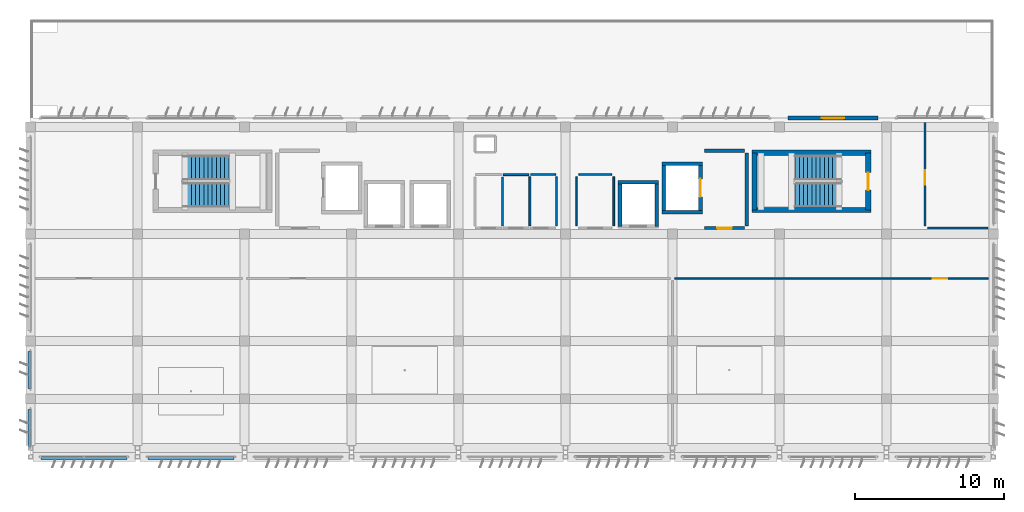
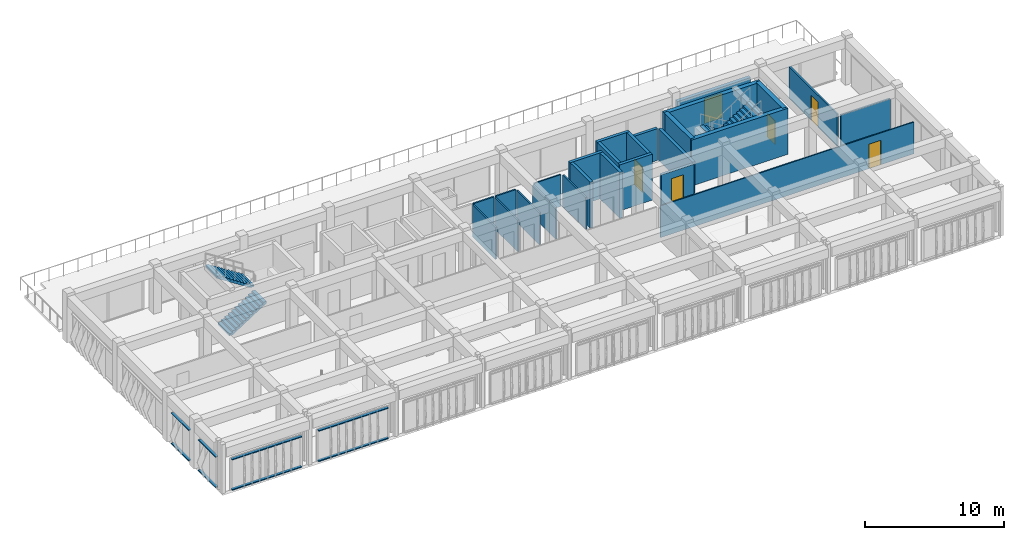
# One storey, part 30 of 42: 26 walls, 8 discrete accessories, 6 doors, 4 stair flights, 6 openings, 2 elements without a shape of their own.
"""IFC4 building model written with IfcOpenShell, lengths in metres."""

from ifc_helpers import new_model, si_unit, direction, frame, frame_2d, origin, origin_2d, place, context, subcontext, project, spatial, polyline, rectangle, outline, extrude, material, layer, layer_set, type_object, element, fill, aggregate, save


model = new_model("IFC4")

# Units and contexts
model_context = context("Model", 3, precision=1e-05, world=origin(), true_north=direction((0.0, 1.0)))
body_context = subcontext(model_context, "Body", "Model", "MODEL_VIEW")
ifc_project = project(units=[si_unit("LENGTHUNIT", "METRE"), si_unit("AREAUNIT", "SQUARE_METRE"), si_unit("VOLUMEUNIT", "CUBIC_METRE"), si_unit("PLANEANGLEUNIT", "RADIAN"), si_unit("MASSUNIT", "GRAM", prefix="KILO")], contexts=[model_context])

# Site, building, storey
site_placement = place(None, origin())
site = spatial("IfcSite", under=ifc_project, at=site_placement, CompositionType="ELEMENT")
building_placement = place(site_placement, origin())
building = spatial("IfcBuilding", under=site, at=building_placement, Name="Kazehaya Institute of Natural Sciences", CompositionType="ELEMENT")
storey_placement = place(building_placement, frame((0.0, 0.0, 37.6201171875)))
storey = spatial("IfcBuildingStorey", under=building, at=storey_placement, Name="L08", CompositionType="ELEMENT", Elevation=37.6201171875)

# Walls
ifc_material_1 = material(Name="Concrete Fc42", Category="concrete")
ifc_layer_1 = layer(ifc_material_1, 0.35009765625, Name="Concrete Fc42", Category="concrete")
ifc_layer_set_1 = layer_set([ifc_layer_1], Name="Concrete Fc42")
wall_type_1 = type_object("IfcWallType", Name="WL-CORE-350", PredefinedType="SHEAR", material=ifc_layer_set_1)
for number, where, z_axis, x_axis, name in (
    (1, (111.155029296875, 22.820068359375, 0.0), (0.0, 0.0, 1.0), (-1.0, 0.0, 0.0), "L08 ST-2 core wall S"),
    (2, (103.14501953125, 26.659912109375, 0.0), (0.0, 0.0, 1.0), (1.0, 0.0, 0.0), "L08 ST-2 core wall N"),
):
    element("IfcWall", number, at=place(storey_placement, frame(where, z_axis=z_axis, x_axis=x_axis)), inside=storey, type_object=wall_type_1, Name=name, PredefinedType="SHEAR", context=body_context, shape_type="SweptSolid", body=[
        extrude(rectangle(XDim=8.010009765625, YDim=0.35009765625, at=frame_2d((4.0048828125, 0.0))), origin(), (0.0, 0.0, 1.0), 4.0498046875),
    ])
wall_1_placement = place(storey_placement, frame((103.320068359375, 22.820068359375, 0.0), z_axis=(0.0, 0.0, 1.0), x_axis=(0.0, 1.0, 0.0)))
element("IfcWall", 3, at=wall_1_placement, inside=storey, type_object=wall_type_1, Name="L08 ST-2 core wall W", PredefinedType="SHEAR", context=body_context, shape_type="SweptSolid", body=[
    extrude(rectangle(XDim=3.83984375, YDim=0.35009765625, at=frame_2d((1.919921875, 0.0))), origin(), (0.0, 0.0, 1.0), 4.0498046875),
])

# Wall, opening, door
wall_2_placement = place(storey_placement, frame((110.97998046875, 26.659912109375, 0.0), z_axis=(0.0, 0.0, 1.0), x_axis=(0.0, -1.0, 0.0)))
wall_2 = element("IfcWall", 4, at=wall_2_placement, inside=storey, type_object=wall_type_1, Name="L08 ST-2 core wall E", PredefinedType="SHEAR", context=body_context, shape_type="SweptSolid", body=[
    extrude(rectangle(XDim=3.83984375, YDim=0.35009765625, at=frame_2d((1.919921875, 0.0))), origin(), (0.0, 0.0, 1.0), 4.0498046875),
])
opening_1_placement = place(wall_2_placement, frame((1.330078125, 0.0, 0.0)))
opening_1 = element("IfcOpeningElement", 5, at=opening_1_placement, cuts=wall_2, Name="Opening D-ST-021", PredefinedType="OPENING", context=body_context, shape_type="SweptSolid", body=[
    extrude(rectangle(XDim=1.179931640625, YDim=2.06005859375, at=frame_2d((0.58984375, 1.030029296875))), frame((0.0, 0.18505859375, 0.0), z_axis=(0.0, -1.0, 0.0), x_axis=(1.0, 0.0, 0.0)), (0.0, 0.0, 1.0), 0.3701171875),
])
ifc_material_2 = material(Name="Fire-rated steel acoustic door", Category="steel")
door_type_1 = type_object("IfcDoorType", Name="DT-FD-22", OperationType="NOTDEFINED", PredefinedType="DOOR", material=ifc_material_2)
door_1_placement = place(opening_1_placement, origin())
door_1 = element("IfcDoor", 6, at=door_1_placement, inside=storey, type_object=door_type_1, Name="L08 ST-2 stair enclosure door D-ST-021", OperationType="SINGLE_SWING_LEFT", OverallHeight=2.06005859375, OverallWidth=1.179931640625, PredefinedType="DOOR", context=body_context, shape_type="SweptSolid", body=[
    extrude(rectangle(XDim=1.179931640625, YDim=2.06005859375, at=frame_2d((0.58984375, 1.030029296875))), frame((0.0, 0.02490234375, 0.0), z_axis=(0.0, -1.0, 0.0), x_axis=(1.0, 0.0, 0.0)), (0.0, 0.0, 1.0), 0.050048828125),
])
fill(opening_1, door_1)

ifc_material_3 = material(Name="Precast concrete Fc36", Category="concrete")
ifc_layer_2 = layer(ifc_material_3, 0.2900390625, Name="Precast concrete Fc36", Category="concrete")
ifc_layer_set_2 = layer_set([ifc_layer_2], Name="Precast concrete Fc36")
wall_type_2 = type_object("IfcWallType", Name="WL-EXT-290", PredefinedType="SOLIDWALL", material=ifc_layer_set_2)
wall_3_placement = place(storey_placement, frame((105.56005859375, 29.0, 0.0), z_axis=(0.0, 0.0, 1.0), x_axis=(1.0, 0.0, 0.0)))
wall_3 = element("IfcWall", 7, at=wall_3_placement, inside=storey, type_object=wall_type_2, Name="L08 exterior wall EW-L08-0403", PredefinedType="SOLIDWALL", context=body_context, shape_type="SweptSolid", body=[
    extrude(rectangle(XDim=6.079833984375, YDim=0.2900390625, at=frame_2d((3.0400390625, 0.0))), origin(), (0.0, 0.0, 1.0), 2.81982421875),
])
opening_2_placement = place(wall_3_placement, frame((2.2900390625, 0.0, 0.0)))
opening_2 = element("IfcOpeningElement", 8, at=opening_2_placement, cuts=wall_3, Name="Opening D-TER-L08N", PredefinedType="OPENING", context=body_context, shape_type="SweptSolid", body=[
    extrude(rectangle(XDim=1.5, YDim=2.199951171875, at=frame_2d((0.75, 1.10009765625))), frame((0.0, 0.155029296875, 0.0), z_axis=(0.0, -1.0, 0.0), x_axis=(1.0, 0.0, 0.0)), (0.0, 0.0, 1.0), 0.31005859375),
])
ifc_material_4 = material(Name="Insulated bronze-clad steel door", Category="steel")
door_type_2 = type_object("IfcDoorType", Name="DT-TER-1500x2200", OperationType="DOUBLE_DOOR_SINGLE_SWING", PredefinedType="DOOR", material=ifc_material_4)
door_2_placement = place(opening_2_placement, origin())
door_2 = element("IfcDoor", 9, at=door_2_placement, inside=storey, type_object=door_type_2, Name="L08 exterior door D-TER-L08N", OperationType="DOUBLE_DOOR_SINGLE_SWING", OverallHeight=2.199951171875, OverallWidth=1.5, PredefinedType="DOOR", context=body_context, shape_type="SweptSolid", body=[
    extrude(rectangle(XDim=1.5, YDim=2.199951171875, at=frame_2d((0.75, 1.10009765625))), frame((0.0, 0.02490234375, 0.0), z_axis=(0.0, -1.0, 0.0), x_axis=(1.0, 0.0, 0.0)), (0.0, 0.0, 1.0), 0.050048828125),
])
fill(opening_2, door_2)

ifc_material_5 = material(Name="Concrete Fc36", Category="concrete")
ifc_layer_3 = layer(ifc_material_5, 0.22998046875, Name="Concrete Fc36", Category="concrete")
ifc_layer_set_3 = layer_set([ifc_layer_3], Name="Concrete Fc36")
wall_type_3 = type_object("IfcWallType", Name="WL-FFL-230", PredefinedType="PARTITIONING", material=ifc_layer_set_3)
wall_4_placement = place(storey_placement, frame((102.64990234375, 21.60009765625, 0.0), z_axis=(0.0, 0.0, 1.0), x_axis=(-1.0, 0.0, 0.0)))
wall_4 = element("IfcWall", 10, at=wall_4_placement, inside=storey, type_object=wall_type_3, Name="L08 East Firefighting Lift Lobby partition IW-L08-0357", PredefinedType="PARTITIONING", context=body_context, shape_type="SweptSolid", body=[
    extrude(rectangle(XDim=2.699951171875, YDim=0.22998046875, at=frame_2d((1.35009765625, 0.0))), origin(), (0.0, 0.0, 1.0), 2.7998046875),
])
opening_3_placement = place(wall_4_placement, frame((0.860107421875, 0.0, 0.0)))
opening_3 = element("IfcOpeningElement", 11, at=opening_3_placement, cuts=wall_4, Name="Opening D-L08-0196", PredefinedType="OPENING", context=body_context, shape_type="SweptSolid", body=[
    extrude(rectangle(XDim=0.97998046875, YDim=2.179931640625, at=frame_2d((0.489990234375, 1.08984375))), frame((0.0, 0.125, 0.0), z_axis=(0.0, -1.0, 0.0), x_axis=(1.0, 0.0, 0.0)), (0.0, 0.0, 1.0), 0.25),
])
door_type_3 = type_object("IfcDoorType", Name="DT-FD-09", OperationType="NOTDEFINED", PredefinedType="DOOR", material=ifc_material_2)
door_3_placement = place(opening_3_placement, origin())
door_3 = element("IfcDoor", 12, at=door_3_placement, inside=storey, type_object=door_type_3, Name="L08 East Firefighting Lift Lobby door D-L08-0196", OperationType="SINGLE_SWING_LEFT", OverallHeight=2.179931640625, OverallWidth=0.97998046875, PredefinedType="DOOR", context=body_context, shape_type="SweptSolid", body=[
    extrude(rectangle(XDim=0.97998046875, YDim=2.179931640625, at=frame_2d((0.489990234375, 1.08984375))), frame((0.0, 0.02490234375, 0.0), z_axis=(0.0, -1.0, 0.0), x_axis=(1.0, 0.0, 0.0)), (0.0, 0.0, 1.0), 0.050048828125),
])
fill(opening_3, door_3)

# Walls
wall_5_placement = place(storey_placement, frame((99.949951171875, 26.800048828125, 0.0), z_axis=(0.0, 0.0, 1.0), x_axis=(1.0, 0.0, 0.0)))
element("IfcWall", 13, at=wall_5_placement, inside=storey, type_object=wall_type_3, Name="L08 East Firefighting Lift Lobby partition IW-L08-0358", PredefinedType="PARTITIONING", context=body_context, shape_type="SweptSolid", body=[
    extrude(rectangle(XDim=2.699951171875, YDim=0.22998046875, at=frame_2d((1.35009765625, 0.0))), origin(), (0.0, 0.0, 1.0), 2.7998046875),
])
wall_6_placement = place(storey_placement, frame((102.800048828125, 26.64990234375, 0.0), z_axis=(0.0, 0.0, 1.0), x_axis=(0.0, -1.0, 0.0)))
element("IfcWall", 14, at=wall_6_placement, inside=storey, type_object=wall_type_3, Name="L08 East Firefighting Lift Lobby partition IW-L08-0359", PredefinedType="PARTITIONING", context=body_context, shape_type="SweptSolid", body=[
    extrude(rectangle(XDim=4.89990234375, YDim=0.22998046875, at=frame_2d((2.449951171875, 0.0))), origin(), (0.0, 0.0, 1.0), 2.7998046875),
])

# Wall, opening, door
ifc_material_6 = material(Name="Lightweight chase partition")
ifc_layer_4 = layer(ifc_material_6, 0.10009765625, Name="Lightweight chase partition")
ifc_layer_set_4 = layer_set([ifc_layer_4], Name="Lightweight chase partition")
wall_type_4 = type_object("IfcWallType", Name="WL-PART-100", PredefinedType="PARTITIONING", material=ifc_layer_set_4)
wall_7_placement = place(storey_placement, frame((97.949951171875, 18.199951171875, 0.0), z_axis=(0.0, 0.0, 1.0), x_axis=(1.0, 0.0, 0.0)))
wall_7 = element("IfcWall", 15, at=wall_7_placement, inside=storey, type_object=wall_type_4, Name="L08 Senior Fellow Write-up Office partition IW-L08-0377", PredefinedType="PARTITIONING", context=body_context, shape_type="SweptSolid", body=[
    extrude(rectangle(XDim=21.10009765625, YDim=0.10009765625, at=frame_2d((10.550048828125, 0.0))), origin(), (0.0, 0.0, 1.0), 2.7998046875),
])
opening_4_placement = place(wall_7_placement, frame((17.35498046875, 0.0, 0.0)))
opening_4 = element("IfcOpeningElement", 16, at=opening_4_placement, cuts=wall_7, Name="Opening D-L08-0203", PredefinedType="OPENING", context=body_context, shape_type="SweptSolid", body=[
    extrude(rectangle(XDim=0.989990234375, YDim=2.159912109375, at=frame_2d((0.4951171875, 1.080078125))), frame((0.0, 0.06005859375, 0.0), z_axis=(0.0, -1.0, 0.0), x_axis=(1.0, 0.0, 0.0)), (0.0, 0.0, 1.0), 0.1201171875),
])
ifc_material_7 = material(Name="Flush timber and aluminium laboratory door", Category="wood")
door_type_4 = type_object("IfcDoorType", Name="DT-INT-15", OperationType="NOTDEFINED", PredefinedType="DOOR", material=ifc_material_7)
door_4_placement = place(opening_4_placement, origin())
door_4 = element("IfcDoor", 17, at=door_4_placement, inside=storey, type_object=door_type_4, Name="L08 Senior Fellow Write-up Office door D-L08-0203", OperationType="SINGLE_SWING_RIGHT", OverallHeight=2.159912109375, OverallWidth=0.989990234375, PredefinedType="DOOR", context=body_context, shape_type="SweptSolid", body=[
    extrude(rectangle(XDim=0.989990234375, YDim=2.159912109375, at=frame_2d((0.4951171875, 1.080078125))), frame((0.0, 0.02490234375, 0.0), z_axis=(0.0, -1.0, 0.0), x_axis=(1.0, 0.0, 0.0)), (0.0, 0.0, 1.0), 0.050048828125),
])
fill(opening_4, door_4)

# Walls
ifc_material_8 = material(Name="Glazed office demountable partition")
ifc_layer_5 = layer(ifc_material_8, 0.110107421875, Name="Glazed office demountable partition")
ifc_layer_set_5 = layer_set([ifc_layer_5], Name="Glazed office demountable partition")
wall_type_5 = type_object("IfcWallType", Name="WL-PART-110", PredefinedType="PARTITIONING", material=ifc_layer_set_5)
wall_8_placement = place(storey_placement, frame((91.5, 25.199951171875, 0.0), z_axis=(0.0, 0.0, 1.0), x_axis=(1.0, 0.0, 0.0)))
element("IfcWall", 18, at=wall_8_placement, inside=storey, type_object=wall_type_5, Name="L08 Ostomate WC partition IW-L08-0371", PredefinedType="PARTITIONING", context=body_context, shape_type="SweptSolid", body=[
    extrude(rectangle(XDim=2.199951171875, YDim=0.110107421875, at=frame_2d((1.10009765625, 0.0))), origin(), (0.0, 0.0, 1.0), 2.7998046875),
])
for number, where, z_axis, x_axis, name in (
    (19, (91.35009765625, 21.75, 0.0), (0.0, 0.0, 1.0), (0.0, 1.0, 0.0), "L08 Ostomate WC partition IW-L08-0372"),
    (20, (93.85009765625, 25.050048828125, 0.0), (0.0, 0.0, 1.0), (0.0, -1.0, 0.0), "L08 Ostomate WC partition IW-L08-0373"),
):
    element("IfcWall", number, at=place(storey_placement, frame(where, z_axis=z_axis, x_axis=x_axis)), inside=storey, type_object=wall_type_5, Name=name, PredefinedType="PARTITIONING", context=body_context, shape_type="SweptSolid", body=[
        extrude(rectangle(XDim=3.300048828125, YDim=0.110107421875, at=frame_2d((1.64990234375, 0.0))), origin(), (0.0, 0.0, 1.0), 2.7998046875),
    ])
ifc_material_9 = material(Name="Gypsum write-up office partition", Category="gypsum")
ifc_layer_6 = layer(ifc_material_9, 0.1201171875, Name="Gypsum write-up office partition", Category="gypsum")
ifc_layer_set_6 = layer_set([ifc_layer_6], Name="Gypsum write-up office partition")
wall_type_6 = type_object("IfcWallType", Name="WL-PART-120", PredefinedType="PARTITIONING", material=ifc_layer_set_6)
wall_9_placement = place(storey_placement, frame((88.260009765625, 25.199951171875, 0.0), z_axis=(0.0, 0.0, 1.0), x_axis=(1.0, 0.0, 0.0)))
element("IfcWall", 21, at=wall_9_placement, inside=storey, type_object=wall_type_6, Name="L08 Accessible WC partition IW-L08-0368", PredefinedType="PARTITIONING", context=body_context, shape_type="SweptSolid", body=[
    extrude(rectangle(XDim=1.679931640625, YDim=0.1201171875, at=frame_2d((0.83984375, 0.0))), origin(), (0.0, 0.0, 1.0), 2.7998046875),
])
wall_10_placement = place(storey_placement, frame((90.0, 25.050048828125, 0.0), z_axis=(0.0, 0.0, 1.0), x_axis=(0.0, -1.0, 0.0)))
element("IfcWall", 22, at=wall_10_placement, inside=storey, type_object=wall_type_6, Name="L08 Accessible WC partition IW-L08-0369", PredefinedType="PARTITIONING", context=body_context, shape_type="SweptSolid", body=[
    extrude(rectangle(XDim=3.300048828125, YDim=0.1201171875, at=frame_2d((1.64990234375, 0.0))), origin(), (0.0, 0.0, 1.0), 2.7998046875),
])
ifc_material_10 = material(Name="Moisture-resistant WC partition")
ifc_layer_7 = layer(ifc_material_10, 0.1298828125, Name="Moisture-resistant WC partition")
ifc_layer_set_7 = layer_set([ifc_layer_7], Name="Moisture-resistant WC partition")
wall_type_7 = type_object("IfcWallType", Name="WL-PART-130", PredefinedType="PARTITIONING", material=ifc_layer_set_7)
wall_11_placement = place(storey_placement, frame((86.409912109375, 25.199951171875, 0.0), z_axis=(0.0, 0.0, 1.0), x_axis=(1.0, 0.0, 0.0)))
element("IfcWall", 23, at=wall_11_placement, inside=storey, type_object=wall_type_7, Name="L08 Female WC partition IW-L08-0365", PredefinedType="PARTITIONING", context=body_context, shape_type="SweptSolid", body=[
    extrude(rectangle(XDim=1.72998046875, YDim=0.1298828125, at=frame_2d((0.864990234375, 0.0))), origin(), (0.0, 0.0, 1.0), 2.7998046875),
])
wall_12_placement = place(storey_placement, frame((88.199951171875, 25.050048828125, 0.0), z_axis=(0.0, 0.0, 1.0), x_axis=(0.0, -1.0, 0.0)))
element("IfcWall", 24, at=wall_12_placement, inside=storey, type_object=wall_type_7, Name="L08 Female WC partition IW-L08-0366", PredefinedType="PARTITIONING", context=body_context, shape_type="SweptSolid", body=[
    extrude(rectangle(XDim=3.300048828125, YDim=0.1298828125, at=frame_2d((1.64990234375, 0.0))), origin(), (0.0, 0.0, 1.0), 2.7998046875),
])
ifc_material_11 = material(Name="Gypsum partition", Category="gypsum")
ifc_layer_8 = layer(ifc_material_11, 0.139892578125, Name="Gypsum partition", Category="gypsum")
ifc_layer_set_8 = layer_set([ifc_layer_8], Name="Gypsum partition")
wall_type_8 = type_object("IfcWallType", Name="WL-PART-140", PredefinedType="PARTITIONING", material=ifc_layer_set_8)
wall_13_placement = place(storey_placement, frame((86.35009765625, 25.050048828125, 0.0), z_axis=(0.0, 0.0, 1.0), x_axis=(0.0, -1.0, 0.0)))
element("IfcWall", 25, at=wall_13_placement, inside=storey, type_object=wall_type_8, Name="L08 Male WC partition IW-L08-0363", PredefinedType="PARTITIONING", context=body_context, shape_type="SweptSolid", body=[
    extrude(rectangle(XDim=3.300048828125, YDim=0.139892578125, at=frame_2d((1.64990234375, 0.0))), origin(), (0.0, 0.0, 1.0), 2.7998046875),
])
wall_14_placement = place(storey_placement, frame((119.050048828125, 21.60009765625, 0.0), z_axis=(0.0, 0.0, 1.0), x_axis=(-1.0, 0.0, 0.0)))
element("IfcWall", 26, at=wall_14_placement, inside=storey, type_object=wall_type_8, Name="L08 Research Library and Colloquium Suite partition IW-L08-0378", PredefinedType="PARTITIONING", context=body_context, shape_type="SweptSolid", body=[
    extrude(rectangle(XDim=4.10009765625, YDim=0.139892578125, at=frame_2d((2.050048828125, 0.0))), origin(), (0.0, 0.0, 1.0), 2.7998046875),
])

# Wall, opening, door
wall_15_placement = place(storey_placement, frame((114.800048828125, 21.75, 0.0), z_axis=(0.0, 0.0, 1.0), x_axis=(0.0, 1.0, 0.0)))
wall_15 = element("IfcWall", 27, at=wall_15_placement, inside=storey, type_object=wall_type_8, Name="L08 Research Library and Colloquium Suite partition IW-L08-0379", PredefinedType="PARTITIONING", context=body_context, shape_type="SweptSolid", body=[
    extrude(rectangle(XDim=6.949951171875, YDim=0.139892578125, at=frame_2d((3.47509765625, 0.0))), origin(), (0.0, 0.0, 1.0), 2.7998046875),
])
opening_5_placement = place(wall_15_placement, frame((2.7548828125, 0.0, 0.0)))
opening_5 = element("IfcOpeningElement", 28, at=opening_5_placement, cuts=wall_15, Name="Opening D-L08-0204", PredefinedType="OPENING", context=body_context, shape_type="SweptSolid", body=[
    extrude(rectangle(XDim=0.989990234375, YDim=2.219970703125, at=frame_2d((0.4951171875, 1.10986328125))), frame((0.0, 0.079833984375, 0.0), z_axis=(0.0, -1.0, 0.0), x_axis=(1.0, 0.0, 0.0)), (0.0, 0.0, 1.0), 0.159912109375),
])
door_type_5 = type_object("IfcDoorType", Name="DT-INT-16", OperationType="NOTDEFINED", PredefinedType="DOOR", material=ifc_material_7)
door_5_placement = place(opening_5_placement, origin())
door_5 = element("IfcDoor", 29, at=door_5_placement, inside=storey, type_object=door_type_5, Name="L08 Research Library and Colloquium Suite door D-L08-0204", OperationType="SINGLE_SWING_LEFT", OverallHeight=2.219970703125, OverallWidth=0.989990234375, PredefinedType="DOOR", context=body_context, shape_type="SweptSolid", body=[
    extrude(rectangle(XDim=0.989990234375, YDim=2.219970703125, at=frame_2d((0.4951171875, 1.10986328125))), frame((0.0, 0.02490234375, 0.0), z_axis=(0.0, -1.0, 0.0), x_axis=(1.0, 0.0, 0.0)), (0.0, 0.0, 1.0), 0.050048828125),
])
fill(opening_5, door_5)

# Walls
ifc_layer_9 = layer(ifc_material_1, 0.25, Name="Concrete Fc42", Category="concrete")
ifc_layer_set_9 = layer_set([ifc_layer_9], Name="Concrete Fc42")
wall_type_9 = type_object("IfcWallType", Name="WL-SHAFT-250", PredefinedType="SHEAR", material=ifc_layer_set_9)
for number, where, z_axis, x_axis, name in (
    (30, (99.81005859375, 22.6650390625, 0.0), (0.0, 0.0, 1.0), (-1.0, 0.0, 0.0), "L08 EL08 lift shaft wall south"),
    (31, (97.090087890625, 25.93505859375, 0.0), (0.0, 0.0, 1.0), (1.0, 0.0, 0.0), "L08 EL08 lift shaft wall north"),
):
    element("IfcWall", number, at=place(storey_placement, frame(where, z_axis=z_axis, x_axis=x_axis)), inside=storey, type_object=wall_type_9, Name=name, PredefinedType="SHEAR", context=body_context, shape_type="SweptSolid", body=[
        extrude(rectangle(XDim=2.719970703125, YDim=0.25, at=frame_2d((1.35986328125, 0.0))), origin(), (0.0, 0.0, 1.0), 4.0498046875),
    ])
wall_16_placement = place(storey_placement, frame((97.215087890625, 22.6650390625, 0.0), z_axis=(0.0, 0.0, 1.0), x_axis=(0.0, 1.0, 0.0)))
element("IfcWall", 32, at=wall_16_placement, inside=storey, type_object=wall_type_9, Name="L08 EL08 lift shaft wall west", PredefinedType="SHEAR", context=body_context, shape_type="SweptSolid", body=[
    extrude(rectangle(XDim=3.27001953125, YDim=0.25, at=frame_2d((1.635009765625, 0.0))), origin(), (0.0, 0.0, 1.0), 4.0498046875),
])

# Wall, opening, door
wall_17_placement = place(storey_placement, frame((99.68505859375, 25.93505859375, 0.0), z_axis=(0.0, 0.0, 1.0), x_axis=(0.0, -1.0, 0.0)))
wall_17 = element("IfcWall", 33, at=wall_17_placement, inside=storey, type_object=wall_type_9, Name="L08 EL08 lift shaft wall east", PredefinedType="SHEAR", context=body_context, shape_type="SweptSolid", body=[
    extrude(rectangle(XDim=3.27001953125, YDim=0.25, at=frame_2d((1.635009765625, 0.0))), origin(), (0.0, 0.0, 1.0), 4.0498046875),
])
opening_6_placement = place(wall_17_placement, frame((1.034912109375, 0.0, 0.0)))
opening_6 = element("IfcOpeningElement", 34, at=opening_6_placement, cuts=wall_17, Name="Opening LD-21", PredefinedType="OPENING", context=body_context, shape_type="SweptSolid", body=[
    extrude(rectangle(XDim=1.199951171875, YDim=2.25, at=frame_2d((0.60009765625, 1.125))), frame((0.0, 0.135009765625, 0.0), z_axis=(0.0, -1.0, 0.0), x_axis=(1.0, 0.0, 0.0)), (0.0, 0.0, 1.0), 0.27001953125),
])
ifc_material_12 = material(Name="Stainless-steel emergency lift landing door", Category="steel")
door_type_6 = type_object("IfcDoorType", Name="DT-LD-1200x2250", OperationType="SLIDING_TO_LEFT", PredefinedType="DOOR", material=ifc_material_12)
door_6_placement = place(opening_6_placement, origin())
door_6 = element("IfcDoor", 35, at=door_6_placement, inside=storey, type_object=door_type_6, Name="L08 EL08 sliding landing door LD-21", OperationType="SLIDING_TO_LEFT", OverallHeight=2.25, OverallWidth=1.199951171875, PredefinedType="DOOR", context=body_context, shape_type="SweptSolid", body=[
    extrude(rectangle(XDim=1.199951171875, YDim=2.25, at=frame_2d((0.60009765625, 1.125))), frame((0.0, 0.02490234375, 0.0), z_axis=(0.0, -1.0, 0.0), x_axis=(1.0, 0.0, 0.0)), (0.0, 0.0, 1.0), 0.050048828125),
])
fill(opening_6, door_6)

# Walls
wall_18_placement = place(storey_placement, frame((94.139892578125, 24.68505859375, 0.0), z_axis=(0.0, 0.0, 1.0), x_axis=(1.0, 0.0, 0.0)))
element("IfcWall", 36, at=wall_18_placement, inside=storey, type_object=wall_type_9, Name="L08 EL03 lift shaft wall north", PredefinedType="SHEAR", context=body_context, shape_type="SweptSolid", body=[
    extrude(rectangle(XDim=2.72021484375, YDim=0.25, at=frame_2d((1.360107421875, 0.0))), origin(), (0.0, 0.0, 1.0), 4.0498046875),
])
for number, where, z_axis, x_axis, name in (
    (37, (94.264892578125, 21.715087890625, 0.0), (0.0, 0.0, 1.0), (0.0, 1.0, 0.0), "L08 EL03 lift shaft wall west"),
    (38, (96.735107421875, 24.68505859375, 0.0), (0.0, 0.0, 1.0), (0.0, -1.0, 0.0), "L08 EL03 lift shaft wall east"),
):
    element("IfcWall", number, at=place(storey_placement, frame(where, z_axis=z_axis, x_axis=x_axis)), inside=storey, type_object=wall_type_9, Name=name, PredefinedType="SHEAR", context=body_context, shape_type="SweptSolid", body=[
        extrude(rectangle(XDim=2.969970703125, YDim=0.25, at=frame_2d((1.48486328125, 0.0))), origin(), (0.0, 0.0, 1.0), 4.0498046875),
    ])

# Stair, stair flights
stair_type = type_object("IfcStairType", Name="STR-DOG-4320", PredefinedType="HALF_TURN_STAIR", material=ifc_material_5)
stair_1_placement = place(storey_placement, origin())
stair_1 = element("IfcStair", 39, at=stair_1_placement, inside=storey, type_object=stair_type, Name="L08 Protected Escape Stair ST-1", PredefinedType="HALF_TURN_STAIR")
stair_flight_type = type_object("IfcStairFlightType", Name="STF-DOG-4320", PredefinedType="STRAIGHT", material=ifc_material_5)
stair_flight_1_placement = place(storey_placement, frame((64.860107421875, 23.830078125, 0.0), z_axis=(0.0, 0.0, 1.0), x_axis=(1.0, 0.0, 0.0)))
stair_flight_1 = element("IfcStairFlight", 40, at=stair_flight_1_placement, type_object=stair_flight_type, Name="ST-1 flight 1", NumberOfRisers=12, NumberOfTreads=11, PredefinedType="STRAIGHT", RiserHeight=0.18, TreadLength=0.28, context=body_context, shape_type="SweptSolid", body=[
    extrude(outline(polyline([(0.0, 0.0), (0.0, 0.179931640625), (0.280029296875, 0.179931640625), (0.280029296875, 0.360107421875), (0.56005859375, 0.360107421875), (0.56005859375, 0.5400390625), (0.840087890625, 0.5400390625), (0.840087890625, 0.719970703125), (1.1201171875, 0.719970703125), (1.1201171875, 0.89990234375), (1.39990234375, 0.89990234375), (1.39990234375, 1.080078125), (1.679931640625, 1.080078125), (1.679931640625, 1.260009765625), (1.9599609375, 1.260009765625), (1.9599609375, 1.43994140625), (2.239990234375, 1.43994140625), (2.239990234375, 1.6201171875), (2.52001953125, 1.6201171875), (2.52001953125, 1.800048828125), (2.800048828125, 1.800048828125), (2.800048828125, 1.97998046875), (3.080078125, 1.97998046875), (3.080078125, 2.159912109375), (3.080078125, 1.8017578125), (0.277099609375, 0.0), (0.0, 0.0)])), frame((0.0, 0.830078125, 0.0), z_axis=(0.0, -1.0, 0.0), x_axis=(1.0, 0.0, 0.0)), (0.0, 0.0, 1.0), 1.659912109375),
])
stair_flight_2_placement = place(storey_placement, frame((67.93994140625, 25.64990234375, 2.159912109375), z_axis=(0.0, 0.0, 1.0), x_axis=(-1.0, 0.0, 0.0)))
stair_flight_2 = element("IfcStairFlight", 41, at=stair_flight_2_placement, type_object=stair_flight_type, Name="ST-1 flight 2", NumberOfRisers=12, NumberOfTreads=11, PredefinedType="STRAIGHT", RiserHeight=0.18, TreadLength=0.28, context=body_context, shape_type="SweptSolid", body=[
    extrude(outline(polyline([(0.0, 0.0), (0.0, 0.179931640625), (0.280029296875, 0.179931640625), (0.280029296875, 0.360107421875), (0.56005859375, 0.360107421875), (0.56005859375, 0.5400390625), (0.840087890625, 0.5400390625), (0.840087890625, 0.719970703125), (1.1201171875, 0.719970703125), (1.1201171875, 0.89990234375), (1.39990234375, 0.89990234375), (1.39990234375, 1.080078125), (1.679931640625, 1.080078125), (1.679931640625, 1.260009765625), (1.9599609375, 1.260009765625), (1.9599609375, 1.43994140625), (2.239990234375, 1.43994140625), (2.239990234375, 1.6201171875), (2.52001953125, 1.6201171875), (2.52001953125, 1.800048828125), (2.800048828125, 1.800048828125), (2.800048828125, 1.97998046875), (3.080078125, 1.97998046875), (3.080078125, 2.159912109375), (3.080078125, 1.8017578125), (0.277099609375, 0.0), (0.0, 0.0)])), frame((0.0, 0.830078125, 0.0), z_axis=(0.0, -1.0, 0.0), x_axis=(1.0, 0.0, 0.0)), (0.0, 0.0, 1.0), 1.659912109375),
])
aggregate(stair_1, [stair_flight_1, stair_flight_2])

stair_2_placement = place(storey_placement, origin())
stair_2 = element("IfcStair", 42, at=stair_2_placement, inside=storey, type_object=stair_type, Name="L08 Protected Escape Stair ST-2", PredefinedType="HALF_TURN_STAIR")
stair_flight_3_placement = place(storey_placement, frame((109.139892578125, 25.64990234375, 0.0), z_axis=(0.0, 0.0, 1.0), x_axis=(-1.0, 0.0, 0.0)))
stair_flight_3 = element("IfcStairFlight", 43, at=stair_flight_3_placement, type_object=stair_flight_type, Name="ST-2 flight 1", NumberOfRisers=12, NumberOfTreads=11, PredefinedType="STRAIGHT", RiserHeight=0.18, TreadLength=0.28, context=body_context, shape_type="SweptSolid", body=[
    extrude(outline(polyline([(0.0, 0.0), (0.0, 0.179931640625), (0.280029296875, 0.179931640625), (0.280029296875, 0.360107421875), (0.56005859375, 0.360107421875), (0.56005859375, 0.5400390625), (0.840087890625, 0.5400390625), (0.840087890625, 0.719970703125), (1.1201171875, 0.719970703125), (1.1201171875, 0.89990234375), (1.39990234375, 0.89990234375), (1.39990234375, 1.080078125), (1.679931640625, 1.080078125), (1.679931640625, 1.260009765625), (1.9599609375, 1.260009765625), (1.9599609375, 1.43994140625), (2.239990234375, 1.43994140625), (2.239990234375, 1.6201171875), (2.52001953125, 1.6201171875), (2.52001953125, 1.800048828125), (2.800048828125, 1.800048828125), (2.800048828125, 1.97998046875), (3.080078125, 1.97998046875), (3.080078125, 2.159912109375), (3.080078125, 1.8017578125), (0.277099609375, 0.0), (0.0, 0.0)])), frame((0.0, 0.830078125, 0.0), z_axis=(0.0, -1.0, 0.0), x_axis=(1.0, 0.0, 0.0)), (0.0, 0.0, 1.0), 1.659912109375),
])
stair_flight_4_placement = place(storey_placement, frame((106.06005859375, 23.830078125, 2.159912109375), z_axis=(0.0, 0.0, 1.0), x_axis=(1.0, 0.0, 0.0)))
stair_flight_4 = element("IfcStairFlight", 44, at=stair_flight_4_placement, type_object=stair_flight_type, Name="ST-2 flight 2", NumberOfRisers=12, NumberOfTreads=11, PredefinedType="STRAIGHT", RiserHeight=0.18, TreadLength=0.28, context=body_context, shape_type="SweptSolid", body=[
    extrude(outline(polyline([(0.0, 0.0), (0.0, 0.179931640625), (0.280029296875, 0.179931640625), (0.280029296875, 0.360107421875), (0.56005859375, 0.360107421875), (0.56005859375, 0.5400390625), (0.840087890625, 0.5400390625), (0.840087890625, 0.719970703125), (1.1201171875, 0.719970703125), (1.1201171875, 0.89990234375), (1.39990234375, 0.89990234375), (1.39990234375, 1.080078125), (1.679931640625, 1.080078125), (1.679931640625, 1.260009765625), (1.9599609375, 1.260009765625), (1.9599609375, 1.43994140625), (2.239990234375, 1.43994140625), (2.239990234375, 1.6201171875), (2.52001953125, 1.6201171875), (2.52001953125, 1.800048828125), (2.800048828125, 1.800048828125), (2.800048828125, 1.97998046875), (3.080078125, 1.97998046875), (3.080078125, 2.159912109375), (3.080078125, 1.8017578125), (0.277099609375, 0.0), (0.0, 0.0)])), frame((0.0, 0.830078125, 0.0), z_axis=(0.0, -1.0, 0.0), x_axis=(1.0, 0.0, 0.0)), (0.0, 0.0, 1.0), 1.659912109375),
])
aggregate(stair_2, [stair_flight_3, stair_flight_4])

# Discrete accessories
ifc_material_13 = material(Name="Aluminium alloy A6063S-T5", Category="aluminium")
discrete_accessory_type = type_object("IfcDiscreteAccessoryType", Name="ACC-BRK-01", PredefinedType="BRACKET", material=ifc_material_13)
for number, where, z_axis, x_axis, name in (
    (45, (65.39990234375, 6.125, 0.039794921875), (0.0, 0.0, 1.0), (-1.0, 0.0, 0.0), "L08 fin support outrigger rail 1"),
    (46, (65.39990234375, 6.125, 2.699951171875), (0.0, 0.0, 1.0), (-1.0, 0.0, 0.0), "L08 fin support outrigger rail 2"),
    (47, (58.199951171875, 6.125, 0.039794921875), (0.0, 0.0, 1.0), (-1.0, 0.0, 0.0), "L08 fin support outrigger rail 1"),
    (48, (58.199951171875, 6.125, 2.699951171875), (0.0, 0.0, 1.0), (-1.0, 0.0, 0.0), "L08 fin support outrigger rail 2"),
):
    element("IfcDiscreteAccessory", number, at=place(storey_placement, frame(where, z_axis=z_axis, x_axis=x_axis)), inside=storey, type_object=discrete_accessory_type, Name=name, PredefinedType="BRACKET", context=body_context, shape_type="SweptSolid", body=[
        extrude(rectangle(XDim=5.800048828125, YDim=0.219970703125, at=origin_2d()), origin(), (0.0, 0.0, 1.0), 0.080078125),
    ])
for number, where, z_axis, x_axis, name in (
    (49, (54.52490234375, 8.14990234375, 0.039794921875), (0.0, 0.0, 1.0), (0.0, 1.0, 0.0), "L08 fin support outrigger rail 1"),
    (50, (54.52490234375, 8.14990234375, 2.699951171875), (0.0, 0.0, 1.0), (0.0, 1.0, 0.0), "L08 fin support outrigger rail 2"),
    (51, (54.52490234375, 12.050048828125, 0.039794921875), (0.0, 0.0, 1.0), (0.0, 1.0, 0.0), "L08 fin support outrigger rail 1"),
    (52, (54.52490234375, 12.050048828125, 2.699951171875), (0.0, 0.0, 1.0), (0.0, 1.0, 0.0), "L08 fin support outrigger rail 2"),
):
    element("IfcDiscreteAccessory", number, at=place(storey_placement, frame(where, z_axis=z_axis, x_axis=x_axis)), inside=storey, type_object=discrete_accessory_type, Name=name, PredefinedType="BRACKET", context=body_context, shape_type="SweptSolid", body=[
        extrude(rectangle(XDim=2.5, YDim=0.219970703125, at=origin_2d()), origin(), (0.0, 0.0, 1.0), 0.080078125),
    ])

save(model, "model.ifc")
